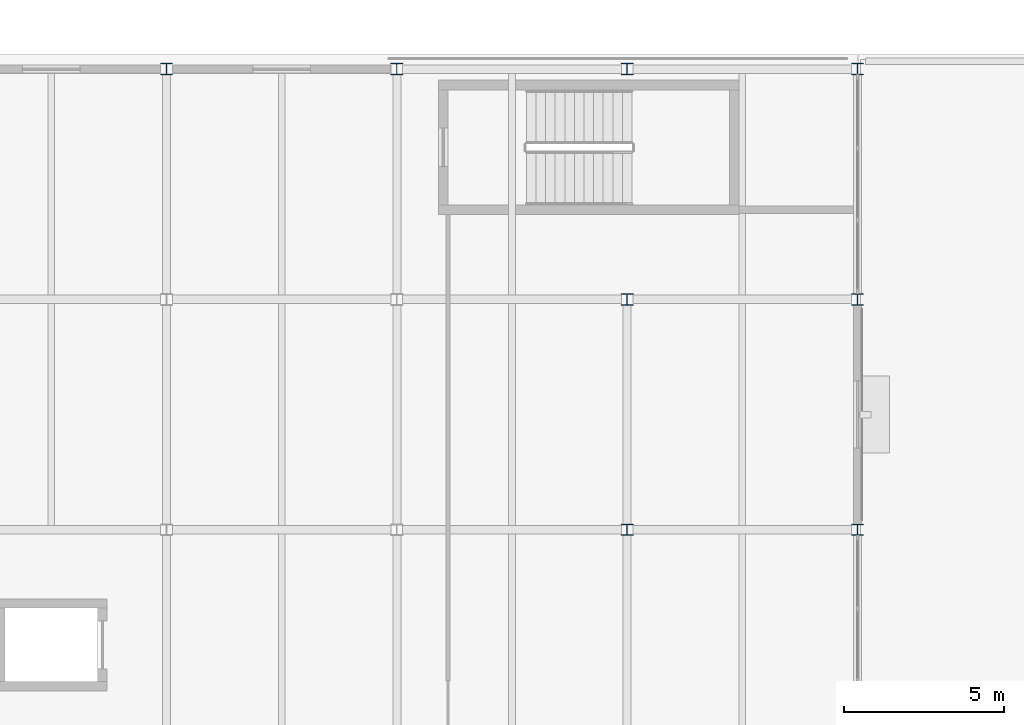
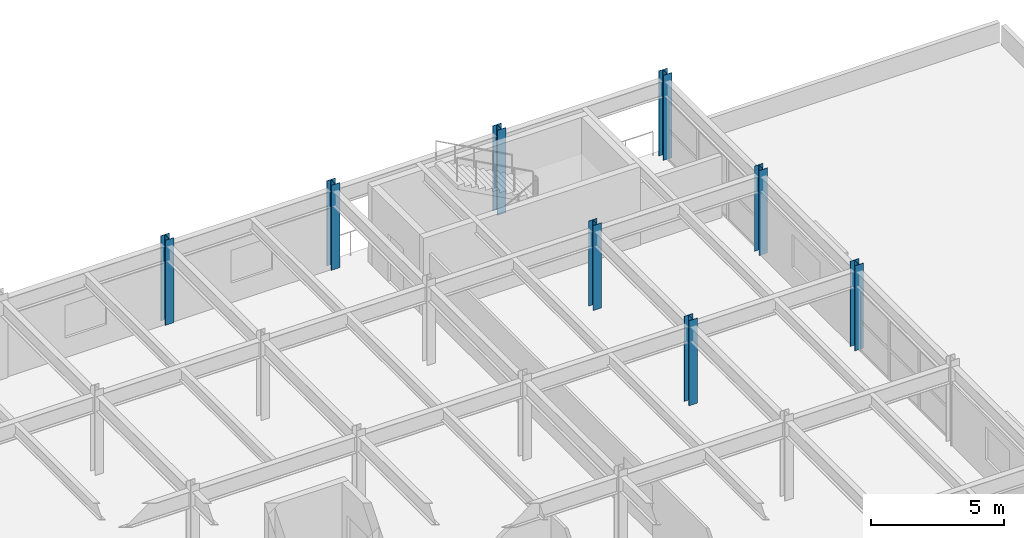
# One storey, part 15 of 80: 8 columns.
"""IFC4 building model written with IfcOpenShell, lengths in metres."""

import ifcopenshell
import ifcopenshell.guid

model = None  # the IFC model being written
_history = None  # IfcOwnerHistory: only IFC2X3 demands one
_inside = {}  # id of a spatial element -> (the spatial element, [elements in it])
_under = {}  # id of a project, library or spatial element -> (it, [spatial elements below it])
_declared = {}  # id of a project -> (the project, [libraries it declares])
_typed = {}  # id of a type object -> (the type object, [elements of that type])
_made_of = {}  # id of a material, layer set ... -> (it, [elements and type objects made of it])


def new_model(schema):
    """Start an empty IFC model of exactly this schema.

    Asked for "IFC4X3", IfcOpenShell would pick the latest addendum, in which some entities
    have other attributes; the version numbers below select the first issue.
    IFC2X3 requires an IfcOwnerHistory on every rooted entity: one is made here for all.
    """
    global model, _history
    if schema == "IFC4X3":
        model = ifcopenshell.file(schema_version=(4, 3, 0, 0))
    else:
        model = ifcopenshell.file(schema=schema)
    _inside.clear()
    _under.clear()
    _declared.clear()
    _typed.clear()
    _made_of.clear()
    _history = None
    if model.schema == "IFC2X3":
        org = make("IfcOrganization", Name="unknown")
        user = make(
            "IfcPersonAndOrganization",
            ThePerson=make("IfcPerson", FamilyName="unknown"),
            TheOrganization=org,
        )
        app = make(
            "IfcApplication",
            ApplicationDeveloper=org,
            Version="unknown",
            ApplicationFullName="unknown",
            ApplicationIdentifier="unknown",
        )
        _history = make(
            "IfcOwnerHistory",
            OwningUser=user,
            OwningApplication=app,
            ChangeAction="ADDED",
            CreationDate=0,
        )
    return model


def make(cls, **values):
    """One entity of the class cls with the attributes given. An attribute that is None is left unset."""
    return model.create_entity(
        cls, **{name: value for name, value in values.items() if value is not None}
    )


def rooted(cls, **values):
    """An entity with a GlobalId (a new one), such as an element, a storey or a relation."""
    return make(cls, GlobalId=ifcopenshell.guid.new(), OwnerHistory=_history, **values)


def si_unit(unit_type, name, prefix=None):
    """IfcSIUnit, for example si_unit("LENGTHUNIT", "METRE", prefix="MILLI")."""
    return make("IfcSIUnit", UnitType=unit_type, Prefix=prefix, Name=name)


def assignment(units):
    """IfcUnitAssignment: the units of a project."""
    return None if units is None else make("IfcUnitAssignment", Units=units)


def point(xyz):
    """IfcCartesianPoint."""
    return None if xyz is None else make("IfcCartesianPoint", Coordinates=xyz)


def direction(xyz):
    """IfcDirection."""
    return None if xyz is None else make("IfcDirection", DirectionRatios=xyz)


def frame(location, z_axis=None, x_axis=None):
    """IfcAxis2Placement3D, a coordinate frame: its origin and axes. An axis left out is left unset."""
    return make(
        "IfcAxis2Placement3D",
        Location=point(location),
        Axis=direction(z_axis),
        RefDirection=direction(x_axis),
    )


def frame_2d(location, x_axis=None):
    """IfcAxis2Placement2D, a coordinate frame in the plane: its origin and x axis."""
    return make(
        "IfcAxis2Placement2D", Location=point(location), RefDirection=direction(x_axis)
    )


def origin():
    """The frame at (0, 0, 0) with its axes left unset."""
    return frame((0.0, 0.0, 0.0))


def origin_2d():
    """The frame at (0, 0) in the plane with its x axis left unset."""
    return frame_2d((0.0, 0.0))


def place(relative_to, where):
    """IfcLocalPlacement: puts the frame where relative to a parent placement (None: the world)."""
    return make(
        "IfcLocalPlacement", PlacementRelTo=relative_to, RelativePlacement=where
    )


def context(
    kind, dimensions, precision=None, world=None, true_north=None, identifier=None
):
    """IfcGeometricRepresentationContext, for example the 3D "Model" context."""
    return make(
        "IfcGeometricRepresentationContext",
        ContextIdentifier=identifier,
        ContextType=kind,
        CoordinateSpaceDimension=dimensions,
        Precision=precision,
        WorldCoordinateSystem=world,
        TrueNorth=true_north,
    )


def subcontext(parent, identifier, kind, view, scale=None):
    """IfcGeometricRepresentationSubContext, for example "Body" below "Model"."""
    return make(
        "IfcGeometricRepresentationSubContext",
        ContextIdentifier=identifier,
        ContextType=kind,
        ParentContext=parent,
        TargetScale=scale,
        TargetView=view,
    )


def project(units=None, contexts=None):
    """IfcProject with its units and contexts."""
    return rooted(
        "IfcProject",
        Name="project",
        RepresentationContexts=contexts,
        UnitsInContext=assignment(units),
    )


def spatial(cls, under=None, at=None, **own):
    """A site, building, storey or space (cls), placed at a placement, below another one or the project."""
    s = rooted(cls, ObjectPlacement=at, **own)
    if under is not None:
        _under.setdefault(under.id(), (under, []))[1].append(s)
    return s


def profile(cls, at=None, kind="AREA", **sizes):
    """A parametric profile (cls). Its sizes go by their IFC names, for example OverallWidth=200.0."""
    return make(cls, ProfileType=kind, Position=at, **sizes)


def i_section(**sizes):
    """IfcIShapeProfileDef."""
    return profile("IfcIShapeProfileDef", **sizes)


def extrude(swept, where, along, depth):
    """IfcExtrudedAreaSolid: the profile swept, set in the frame where, extruded along a direction by depth."""
    return make(
        "IfcExtrudedAreaSolid",
        SweptArea=swept,
        Position=where,
        ExtrudedDirection=direction(along),
        Depth=depth,
    )


def shape(context_of_items, identifier, shape_type, items):
    """IfcShapeRepresentation: the items that make up one representation, for example the "Body"."""
    return make(
        "IfcShapeRepresentation",
        ContextOfItems=context_of_items,
        RepresentationIdentifier=identifier,
        RepresentationType=shape_type,
        Items=items,
    )


def material(Name=None, Category=None):
    """IfcMaterial."""
    return make("IfcMaterial", Name=Name, Category=Category)


def material_profile(
    of_material, cross_section, Name=None, Category=None, Priority=None
):
    """IfcMaterialProfile: a cross section and its material."""
    return make(
        "IfcMaterialProfile",
        Name=Name,
        Material=of_material,
        Profile=cross_section,
        Priority=Priority,
        Category=Category,
    )


def profile_set(profiles, Name=None, composite=None):
    """IfcMaterialProfileSet."""
    return make(
        "IfcMaterialProfileSet",
        Name=Name,
        MaterialProfiles=profiles,
        CompositeProfile=composite,
    )


def made_of(thing, what):
    """Note that an element or type object is made of a material, layer set ...; save() writes the relation."""
    if what is not None:
        _made_of.setdefault(what.id(), (what, []))[1].append(thing)
    return thing


def type_object(cls, material=None, **own):
    """A type object (cls), such as IfcWallType, which elements share."""
    return made_of(rooted(cls, **own), material)


def element(
    cls,
    number,
    at=None,
    inside=None,
    cuts=None,
    type_object=None,
    material=None,
    context=None,
    identifier="Body",
    shape_type=None,
    held_by="IfcProductDefinitionShape",
    body=None,
    shapes=None,
    **own,
):
    """One element of the class cls, such as IfcWall. Its Tag is "e" and its number.

    at: its placement. inside: the storey or other place that contains it. cuts: it is an
    opening in that element (IfcRelVoidsElement). A single representation is given by context,
    identifier, shape_type and body (its items); several are given by shapes. held_by: the class
    of the entity that holds the representations. save() writes the other relations.
    """
    e = rooted(cls, Tag="e%d" % number, ObjectPlacement=at, **own)
    if body is not None:
        shapes = [shape(context, identifier, shape_type, body)]
    if shapes is not None:
        e.Representation = make(held_by, Representations=shapes)
    if inside is not None:
        _inside.setdefault(inside.id(), (inside, []))[1].append(e)
    if cuts is not None:
        rooted(
            "IfcRelVoidsElement", RelatingBuildingElement=cuts, RelatedOpeningElement=e
        )
    if type_object is not None:
        _typed.setdefault(type_object.id(), (type_object, []))[1].append(e)
    return made_of(e, material)


def aggregate(whole, parts):
    """IfcRelAggregates: a whole, such as a stair, and the parts it consists of."""
    return rooted("IfcRelAggregates", RelatingObject=whole, RelatedObjects=parts)


def save(model, path):
    """Write the relations noted so far, then the file.

    IfcRelAggregates (storeys below a building ...), IfcRelContainedInSpatialStructure (elements
    in a storey), IfcRelDefinesByType, IfcRelAssociatesMaterial and IfcRelDeclares: one each for
    every whole, place, type object, material and project.
    """
    for whole, parts in _under.values():
        aggregate(whole, parts)
    for where, things in _inside.values():
        rooted(
            "IfcRelContainedInSpatialStructure",
            RelatedElements=things,
            RelatingStructure=where,
        )
    for kind, things in _typed.values():
        rooted("IfcRelDefinesByType", RelatedObjects=things, RelatingType=kind)
    for what, things in _made_of.values():
        rooted("IfcRelAssociatesMaterial", RelatedObjects=things, RelatingMaterial=what)
    for by, libraries in _declared.values():
        rooted("IfcRelDeclares", RelatingContext=by, RelatedDefinitions=libraries)
    model.write(path)


model = new_model("IFC4")

# Units and contexts
model_context = context("Model", 3, precision=1e-05, world=origin(), true_north=direction((0.0, 1.0)))
body_context = subcontext(model_context, "Body", "Model", "MODEL_VIEW")
ifc_project = project(units=[si_unit("LENGTHUNIT", "METRE"), si_unit("AREAUNIT", "SQUARE_METRE"), si_unit("VOLUMEUNIT", "CUBIC_METRE"), si_unit("PLANEANGLEUNIT", "RADIAN"), si_unit("MASSUNIT", "GRAM", prefix="KILO")], contexts=[model_context])

# Site, building, storey
site_placement = place(None, origin())
site = spatial("IfcSite", under=ifc_project, at=site_placement, CompositionType="ELEMENT")
building_placement = place(site_placement, origin())
building = spatial("IfcBuilding", under=site, at=building_placement, Name="Vaelcorin Mobility Hub", CompositionType="ELEMENT")
storey_placement = place(building_placement, frame((0.0, 0.0, 9.300048828125)))
storey = spatial("IfcBuildingStorey", under=building, at=storey_placement, Name="L02", CompositionType="ELEMENT", Elevation=9.300048828125)

# Columns
ifc_material = material(Name="Steel ASTM A992 Grade 50", Category="steel")
ifc_material_profile = material_profile(ifc_material, i_section(OverallWidth=0.367919921875, OverallDepth=0.35595703125, WebThickness=0.01123046875, FlangeThickness=0.01806640625, FilletRadius=0.014892578125, at=origin_2d()), Name="W14X90")
ifc_profile_set = profile_set([ifc_material_profile], Name="Steel ASTM A992 Grade 50")
column_type = type_object("IfcColumnType", Name="COL-W14X90", PredefinedType="COLUMN", material=ifc_profile_set)
for number, where, z_axis, x_axis, name in (
    (1, (168.0, 120.0, 0.0), (0.0, 0.0, 1.0), (1.0, 0.0, 0.0), "Column V5-X03Y15 L02"),
    (2, (175.199951171875, 120.0, 0.0), (0.0, 0.0, 1.0), (1.0, 0.0, 0.0), "Column V5-X04Y15 L02"),
    (3, (182.39990234375, 105.60009765625, 0.0), (0.0, 0.0, 1.0), (1.0, 0.0, 0.0), "Column V5-X05Y13 L02"),
    (4, (182.39990234375, 112.800048828125, 0.0), (0.0, 0.0, 1.0), (1.0, 0.0, 0.0), "Column V5-X05Y14 L02"),
    (5, (182.39990234375, 120.0, 0.0), (0.0, 0.0, 1.0), (1.0, 0.0, 0.0), "Column V5-X05Y15 L02"),
    (6, (189.60009765625, 105.60009765625, 0.0), (0.0, 0.0, 1.0), (1.0, 0.0, 0.0), "Column V5-X06Y13 L02"),
    (7, (189.60009765625, 112.800048828125, 0.0), (0.0, 0.0, 1.0), (1.0, 0.0, 0.0), "Column V5-X06Y14 L02"),
    (8, (189.60009765625, 120.0, 0.0), (0.0, 0.0, 1.0), (1.0, 0.0, 0.0), "Column V5-X06Y15 L02"),
):
    element("IfcColumn", number, at=place(storey_placement, frame(where, z_axis=z_axis, x_axis=x_axis)), inside=storey, type_object=column_type, Name=name, PredefinedType="COLUMN", context=body_context, shape_type="SweptSolid", body=[
        extrude(i_section(OverallWidth=0.367919921875, OverallDepth=0.35595703125, WebThickness=0.01123046875, FlangeThickness=0.01806640625, FilletRadius=0.014892578125, at=origin_2d()), origin(), (0.0, 0.0, 1.0), 3.89990234375),
    ])

save(model, "model.ifc")
